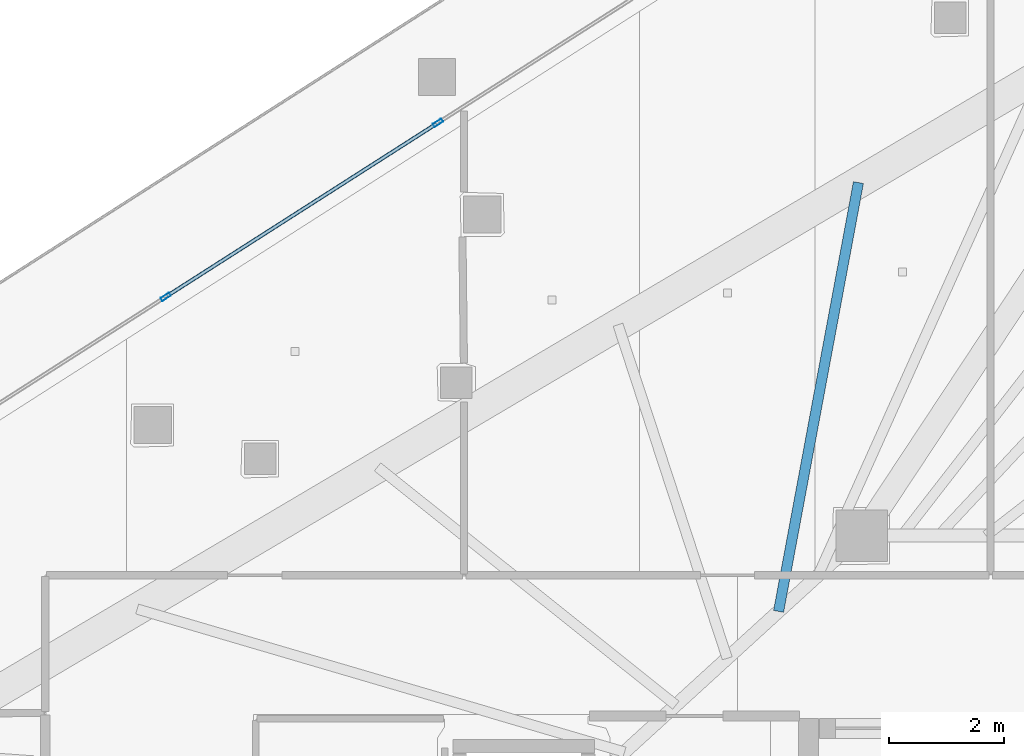
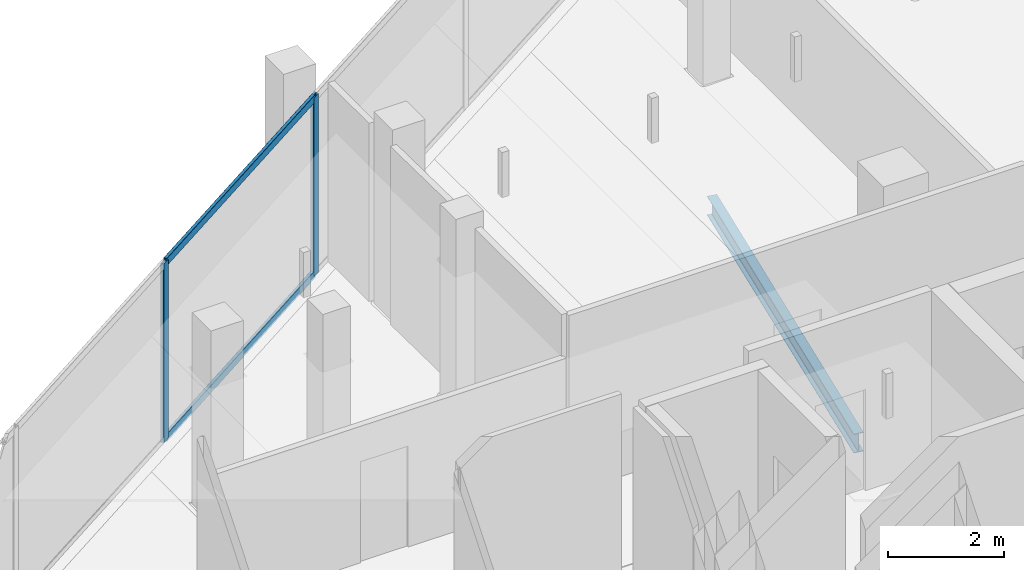
# One storey, part 17 of 36: 4 members, 1 beam, 1 element without a shape of its own.
"""IFC4 building model written with IfcOpenShell, lengths in metres."""

from ifc_helpers import new_model, si_unit, direction, frame, origin, origin_2d, place, context, subcontext, project, spatial, hollow_rectangle, i_section, extrude, material, layer, layer_set, material_profile, profile_set, type_object, element, aggregate, save


model = new_model("IFC4")

# Units and contexts
model_context = context("Model", 3, precision=1e-05, world=origin(), true_north=direction((0.0, 1.0)))
body_context = subcontext(model_context, "Body", "Model", "MODEL_VIEW")
ifc_project = project(units=[si_unit("LENGTHUNIT", "METRE"), si_unit("AREAUNIT", "SQUARE_METRE"), si_unit("VOLUMEUNIT", "CUBIC_METRE"), si_unit("PLANEANGLEUNIT", "RADIAN"), si_unit("MASSUNIT", "GRAM", prefix="KILO")], contexts=[model_context])

# Site, building, storey
site_placement = place(None, origin())
site = spatial("IfcSite", under=ifc_project, at=site_placement, CompositionType="ELEMENT")
building_placement = place(site_placement, origin())
building = spatial("IfcBuilding", under=site, at=building_placement, Name="Qorvath Tower", CompositionType="ELEMENT")
storey_placement = place(building_placement, frame((0.0, 0.0, 205.050048828125)))
storey = spatial("IfcBuildingStorey", under=building, at=storey_placement, Name="L47", CompositionType="ELEMENT", Elevation=205.050048828125)

# Beam
ifc_material_1 = material(Name="Steel ASTM A992 Grade 50", Category="steel")
ifc_material_profile_1 = material_profile(ifc_material_1, i_section(OverallWidth=0.177978515625, OverallDepth=0.406005859375, WebThickness=0.0078125, FlangeThickness=0.0126953125, FilletRadius=0.010986328125, at=origin_2d()), Name="W16x40")
ifc_profile_set_1 = profile_set([ifc_material_profile_1], Name="Steel ASTM A992 Grade 50")
beam_type = type_object("IfcBeamType", Name="BM-FJ3", PredefinedType="JOIST", material=ifc_profile_set_1)
beam_placement = place(storey_placement, frame((-25.049072265625, 10.126953125, -0.47314453125), z_axis=(0.183026775988, 0.983107928598, 0.0), x_axis=(-0.983107928598, 0.183026775988, 0.0)))
element("IfcBeam", 1, at=beam_placement, inside=storey, type_object=beam_type, Name="Composite Floor Joist NW6 L47", PredefinedType="JOIST", context=body_context, shape_type="SweptSolid", body=[
    extrude(i_section(OverallWidth=0.177978515625, OverallDepth=0.406005859375, WebThickness=0.0078125, FlangeThickness=0.0126953125, FilletRadius=0.010986328125, at=origin_2d()), origin(), (0.0, 0.0, 1.0), 7.617919921875),
])

# Curtain wall, members
ifc_material_2 = material(Name="Anodised aluminium and triple low-E glass", Category="aluminium")
ifc_layer = layer(ifc_material_2, 0.179931640625)
ifc_layer_set = layer_set([ifc_layer], Name="CW-SYS-3")
curtain_wall_type = type_object("IfcCurtainWallType", Name="CW-SYS-3", PredefinedType="NOTDEFINED", material=ifc_layer_set)
curtain_wall_placement = place(storey_placement, origin())
curtain_wall = element("IfcCurtainWall", 2, at=curtain_wall_placement, inside=storey, type_object=curtain_wall_type, Name="Curtain Wall CW-3 CW-T-L47-16.1", PredefinedType="NOTDEFINED")
ifc_material_3 = material(Name="Anodised aluminium 6063-T6", Category="aluminium")
ifc_material_profile_2 = material_profile(ifc_material_3, hollow_rectangle(XDim=0.06494140625, YDim=0.179931640625, WallThickness=0.00341796875, InnerFilletRadius=0.00341796875, OuterFilletRadius=0.007080078125, at=origin_2d()), Name="CWM 180x65")
ifc_profile_set_2 = profile_set([ifc_material_profile_2], Name="Anodised aluminium 6063-T6")
member_type_1 = type_object("IfcMemberType", Name="CWM-180", PredefinedType="MULLION", material=ifc_profile_set_2)
member_1_placement = place(storey_placement, frame((-31.000244140625, 18.65869140625, 0.0), z_axis=(0.0, 0.0, 1.0), x_axis=(0.538533623725, -0.842604020948, 0.0)))
member_1 = element("IfcMember", 3, at=member_1_placement, type_object=member_type_1, Name="CW-3 mullion 4", PredefinedType="MULLION", context=body_context, shape_type="SweptSolid", body=[
    extrude(hollow_rectangle(XDim=0.06494140625, YDim=0.179931640625, WallThickness=0.00341796875, InnerFilletRadius=0.00341796875, OuterFilletRadius=0.007080078125, at=origin_2d()), origin(), (0.0, 0.0, 1.0), 3.780029296875),
])
member_2_placement = place(storey_placement, frame((-35.752685546875, 15.62109375, 0.0), z_axis=(0.0, 0.0, 1.0), x_axis=(0.538533623725, -0.842604020948, 0.0)))
member_2 = element("IfcMember", 4, at=member_2_placement, type_object=member_type_1, Name="CW-3 mullion 5", PredefinedType="MULLION", context=body_context, shape_type="SweptSolid", body=[
    extrude(hollow_rectangle(XDim=0.06494140625, YDim=0.179931640625, WallThickness=0.00341796875, InnerFilletRadius=0.00341796875, OuterFilletRadius=0.007080078125, at=origin_2d()), origin(), (0.0, 0.0, 1.0), 3.780029296875),
])
ifc_material_4 = material(Name="Anodised aluminium 6063-T6", Category="aluminium")
ifc_material_profile_3 = material_profile(ifc_material_4, hollow_rectangle(XDim=0.06494140625, YDim=0.159912109375, WallThickness=0.00341796875, InnerFilletRadius=0.00341796875, OuterFilletRadius=0.007080078125, at=origin_2d()), Name="CWT 160x65")
ifc_profile_set_3 = profile_set([ifc_material_profile_3], Name="Anodised aluminium 6063-T6")
member_type_2 = type_object("IfcMemberType", Name="CWT-160", PredefinedType="USERDEFINED", material=ifc_profile_set_3)
member_3_placement = place(storey_placement, frame((-31.027587890625, 18.64111328125, 0.032470703125), z_axis=(-0.842606844645, -0.538529205667, 0.0), x_axis=(0.538529205667, -0.842606844645, 0.0)))
member_3 = element("IfcMember", 5, at=member_3_placement, type_object=member_type_2, Name="CW-3 transom 4.1", ObjectType="TRANSOM", PredefinedType="USERDEFINED", context=body_context, shape_type="SweptSolid", body=[
    extrude(hollow_rectangle(XDim=0.06494140625, YDim=0.159912109375, WallThickness=0.00341796875, InnerFilletRadius=0.00341796875, OuterFilletRadius=0.007080078125, at=origin_2d()), origin(), (0.0, 0.0, 1.0), 5.5751953125),
])
member_4_placement = place(storey_placement, frame((-31.027587890625, 18.64111328125, 3.74755859375), z_axis=(-0.842606844645, -0.538529205667, 0.0), x_axis=(0.538529205667, -0.842606844645, 0.0)))
member_4 = element("IfcMember", 6, at=member_4_placement, type_object=member_type_2, Name="CW-3 transom 4.2", ObjectType="TRANSOM", PredefinedType="USERDEFINED", context=body_context, shape_type="SweptSolid", body=[
    extrude(hollow_rectangle(XDim=0.06494140625, YDim=0.159912109375, WallThickness=0.00341796875, InnerFilletRadius=0.00341796875, OuterFilletRadius=0.007080078125, at=origin_2d()), origin(), (0.0, 0.0, 1.0), 5.5751953125),
])
aggregate(curtain_wall, [member_1, member_2, member_3, member_4])

save(model, "model.ifc")
